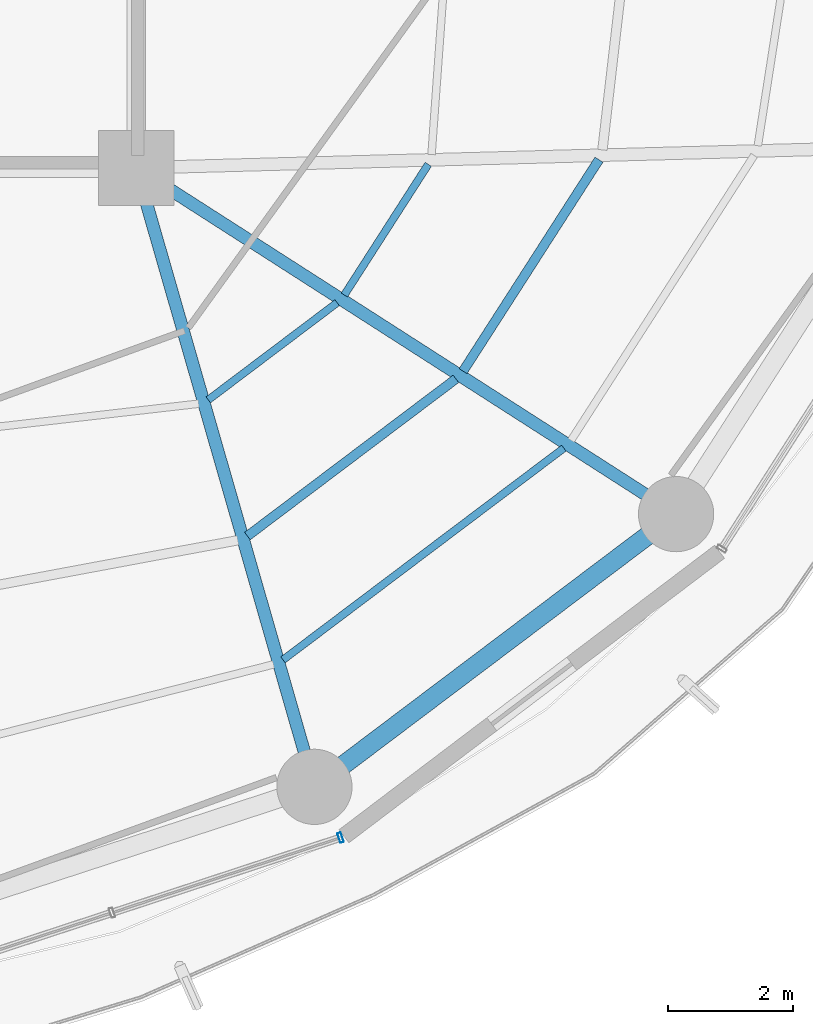
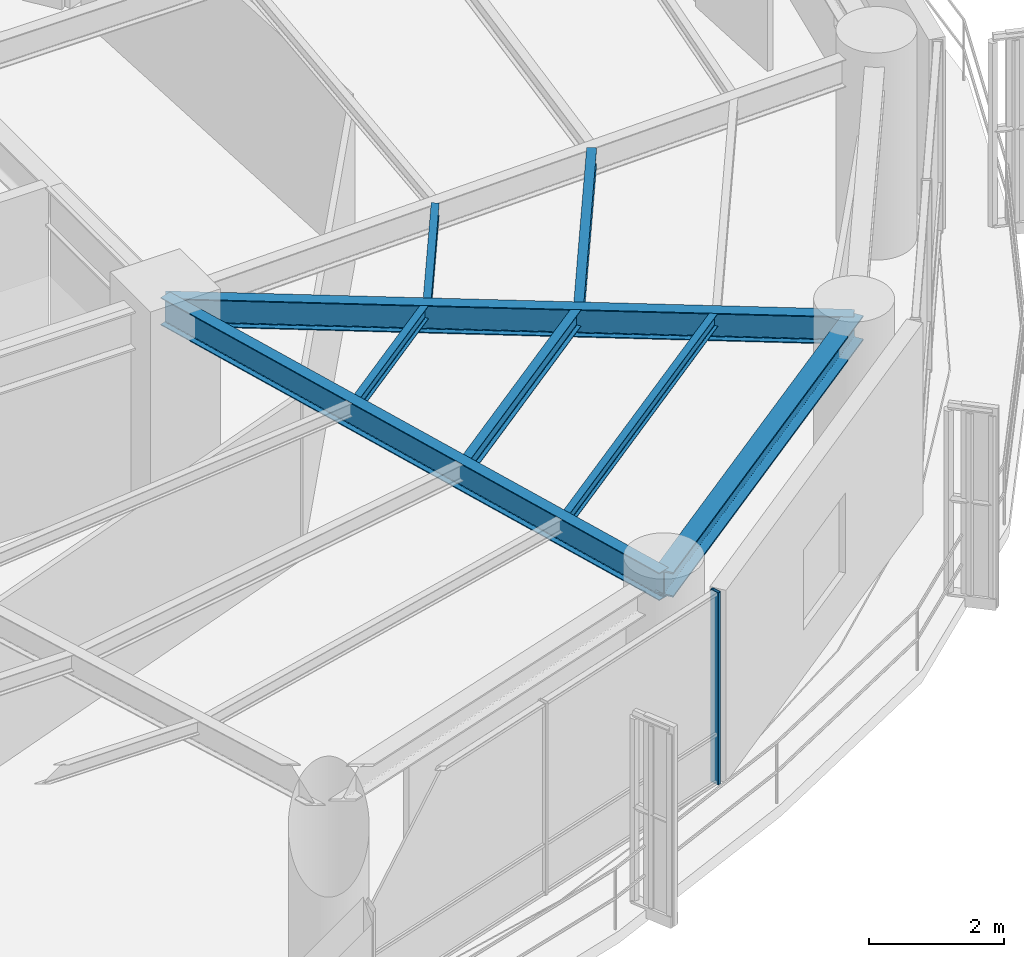
# One storey, part 10 of 28: 8 beams, 1 member, 1 element without a shape of its own.
"""IFC4 building model written with IfcOpenShell, lengths in metres."""

import ifcopenshell
import ifcopenshell.guid

model = None  # the IFC model being written
_history = None  # IfcOwnerHistory: only IFC2X3 demands one
_inside = {}  # id of a spatial element -> (the spatial element, [elements in it])
_under = {}  # id of a project, library or spatial element -> (it, [spatial elements below it])
_declared = {}  # id of a project -> (the project, [libraries it declares])
_typed = {}  # id of a type object -> (the type object, [elements of that type])
_made_of = {}  # id of a material, layer set ... -> (it, [elements and type objects made of it])


def new_model(schema):
    """Start an empty IFC model of exactly this schema.

    Asked for "IFC4X3", IfcOpenShell would pick the latest addendum, in which some entities
    have other attributes; the version numbers below select the first issue.
    IFC2X3 requires an IfcOwnerHistory on every rooted entity: one is made here for all.
    """
    global model, _history
    if schema == "IFC4X3":
        model = ifcopenshell.file(schema_version=(4, 3, 0, 0))
    else:
        model = ifcopenshell.file(schema=schema)
    _inside.clear()
    _under.clear()
    _declared.clear()
    _typed.clear()
    _made_of.clear()
    _history = None
    if model.schema == "IFC2X3":
        org = make("IfcOrganization", Name="unknown")
        user = make(
            "IfcPersonAndOrganization",
            ThePerson=make("IfcPerson", FamilyName="unknown"),
            TheOrganization=org,
        )
        app = make(
            "IfcApplication",
            ApplicationDeveloper=org,
            Version="unknown",
            ApplicationFullName="unknown",
            ApplicationIdentifier="unknown",
        )
        _history = make(
            "IfcOwnerHistory",
            OwningUser=user,
            OwningApplication=app,
            ChangeAction="ADDED",
            CreationDate=0,
        )
    return model


def make(cls, **values):
    """One entity of the class cls with the attributes given. An attribute that is None is left unset."""
    return model.create_entity(
        cls, **{name: value for name, value in values.items() if value is not None}
    )


def rooted(cls, **values):
    """An entity with a GlobalId (a new one), such as an element, a storey or a relation."""
    return make(cls, GlobalId=ifcopenshell.guid.new(), OwnerHistory=_history, **values)


def si_unit(unit_type, name, prefix=None):
    """IfcSIUnit, for example si_unit("LENGTHUNIT", "METRE", prefix="MILLI")."""
    return make("IfcSIUnit", UnitType=unit_type, Prefix=prefix, Name=name)


def assignment(units):
    """IfcUnitAssignment: the units of a project."""
    return None if units is None else make("IfcUnitAssignment", Units=units)


def point(xyz):
    """IfcCartesianPoint."""
    return None if xyz is None else make("IfcCartesianPoint", Coordinates=xyz)


def direction(xyz):
    """IfcDirection."""
    return None if xyz is None else make("IfcDirection", DirectionRatios=xyz)


def frame(location, z_axis=None, x_axis=None):
    """IfcAxis2Placement3D, a coordinate frame: its origin and axes. An axis left out is left unset."""
    return make(
        "IfcAxis2Placement3D",
        Location=point(location),
        Axis=direction(z_axis),
        RefDirection=direction(x_axis),
    )


def frame_2d(location, x_axis=None):
    """IfcAxis2Placement2D, a coordinate frame in the plane: its origin and x axis."""
    return make(
        "IfcAxis2Placement2D", Location=point(location), RefDirection=direction(x_axis)
    )


def origin():
    """The frame at (0, 0, 0) with its axes left unset."""
    return frame((0.0, 0.0, 0.0))


def origin_2d():
    """The frame at (0, 0) in the plane with its x axis left unset."""
    return frame_2d((0.0, 0.0))


def place(relative_to, where):
    """IfcLocalPlacement: puts the frame where relative to a parent placement (None: the world)."""
    return make(
        "IfcLocalPlacement", PlacementRelTo=relative_to, RelativePlacement=where
    )


def context(
    kind, dimensions, precision=None, world=None, true_north=None, identifier=None
):
    """IfcGeometricRepresentationContext, for example the 3D "Model" context."""
    return make(
        "IfcGeometricRepresentationContext",
        ContextIdentifier=identifier,
        ContextType=kind,
        CoordinateSpaceDimension=dimensions,
        Precision=precision,
        WorldCoordinateSystem=world,
        TrueNorth=true_north,
    )


def subcontext(parent, identifier, kind, view, scale=None):
    """IfcGeometricRepresentationSubContext, for example "Body" below "Model"."""
    return make(
        "IfcGeometricRepresentationSubContext",
        ContextIdentifier=identifier,
        ContextType=kind,
        ParentContext=parent,
        TargetScale=scale,
        TargetView=view,
    )


def project(units=None, contexts=None):
    """IfcProject with its units and contexts."""
    return rooted(
        "IfcProject",
        Name="project",
        RepresentationContexts=contexts,
        UnitsInContext=assignment(units),
    )


def spatial(cls, under=None, at=None, **own):
    """A site, building, storey or space (cls), placed at a placement, below another one or the project."""
    s = rooted(cls, ObjectPlacement=at, **own)
    if under is not None:
        _under.setdefault(under.id(), (under, []))[1].append(s)
    return s


def profile(cls, at=None, kind="AREA", **sizes):
    """A parametric profile (cls). Its sizes go by their IFC names, for example OverallWidth=200.0."""
    return make(cls, ProfileType=kind, Position=at, **sizes)


def hollow_rectangle(**sizes):
    """IfcRectangleHollowProfileDef."""
    return profile("IfcRectangleHollowProfileDef", **sizes)


def i_section(**sizes):
    """IfcIShapeProfileDef."""
    return profile("IfcIShapeProfileDef", **sizes)


def extrude(swept, where, along, depth):
    """IfcExtrudedAreaSolid: the profile swept, set in the frame where, extruded along a direction by depth."""
    return make(
        "IfcExtrudedAreaSolid",
        SweptArea=swept,
        Position=where,
        ExtrudedDirection=direction(along),
        Depth=depth,
    )


def shape(context_of_items, identifier, shape_type, items):
    """IfcShapeRepresentation: the items that make up one representation, for example the "Body"."""
    return make(
        "IfcShapeRepresentation",
        ContextOfItems=context_of_items,
        RepresentationIdentifier=identifier,
        RepresentationType=shape_type,
        Items=items,
    )


def material(Name=None, Category=None):
    """IfcMaterial."""
    return make("IfcMaterial", Name=Name, Category=Category)


def layer(
    of_material, thickness, ventilated=None, Name=None, Category=None, Priority=None
):
    """IfcMaterialLayer: one layer of a wall or slab, of a material (None: an air gap)."""
    return make(
        "IfcMaterialLayer",
        Material=of_material,
        LayerThickness=thickness,
        IsVentilated=ventilated,
        Name=Name,
        Category=Category,
        Priority=Priority,
    )


def layer_set(layers, Name=None):
    """IfcMaterialLayerSet."""
    return make("IfcMaterialLayerSet", MaterialLayers=layers, LayerSetName=Name)


def material_profile(
    of_material, cross_section, Name=None, Category=None, Priority=None
):
    """IfcMaterialProfile: a cross section and its material."""
    return make(
        "IfcMaterialProfile",
        Name=Name,
        Material=of_material,
        Profile=cross_section,
        Priority=Priority,
        Category=Category,
    )


def profile_set(profiles, Name=None, composite=None):
    """IfcMaterialProfileSet."""
    return make(
        "IfcMaterialProfileSet",
        Name=Name,
        MaterialProfiles=profiles,
        CompositeProfile=composite,
    )


def made_of(thing, what):
    """Note that an element or type object is made of a material, layer set ...; save() writes the relation."""
    if what is not None:
        _made_of.setdefault(what.id(), (what, []))[1].append(thing)
    return thing


def type_object(cls, material=None, **own):
    """A type object (cls), such as IfcWallType, which elements share."""
    return made_of(rooted(cls, **own), material)


def element(
    cls,
    number,
    at=None,
    inside=None,
    cuts=None,
    type_object=None,
    material=None,
    context=None,
    identifier="Body",
    shape_type=None,
    held_by="IfcProductDefinitionShape",
    body=None,
    shapes=None,
    **own,
):
    """One element of the class cls, such as IfcWall. Its Tag is "e" and its number.

    at: its placement. inside: the storey or other place that contains it. cuts: it is an
    opening in that element (IfcRelVoidsElement). A single representation is given by context,
    identifier, shape_type and body (its items); several are given by shapes. held_by: the class
    of the entity that holds the representations. save() writes the other relations.
    """
    e = rooted(cls, Tag="e%d" % number, ObjectPlacement=at, **own)
    if body is not None:
        shapes = [shape(context, identifier, shape_type, body)]
    if shapes is not None:
        e.Representation = make(held_by, Representations=shapes)
    if inside is not None:
        _inside.setdefault(inside.id(), (inside, []))[1].append(e)
    if cuts is not None:
        rooted(
            "IfcRelVoidsElement", RelatingBuildingElement=cuts, RelatedOpeningElement=e
        )
    if type_object is not None:
        _typed.setdefault(type_object.id(), (type_object, []))[1].append(e)
    return made_of(e, material)


def aggregate(whole, parts):
    """IfcRelAggregates: a whole, such as a stair, and the parts it consists of."""
    return rooted("IfcRelAggregates", RelatingObject=whole, RelatedObjects=parts)


def save(model, path):
    """Write the relations noted so far, then the file.

    IfcRelAggregates (storeys below a building ...), IfcRelContainedInSpatialStructure (elements
    in a storey), IfcRelDefinesByType, IfcRelAssociatesMaterial and IfcRelDeclares: one each for
    every whole, place, type object, material and project.
    """
    for whole, parts in _under.values():
        aggregate(whole, parts)
    for where, things in _inside.values():
        rooted(
            "IfcRelContainedInSpatialStructure",
            RelatedElements=things,
            RelatingStructure=where,
        )
    for kind, things in _typed.values():
        rooted("IfcRelDefinesByType", RelatedObjects=things, RelatingType=kind)
    for what, things in _made_of.values():
        rooted("IfcRelAssociatesMaterial", RelatedObjects=things, RelatingMaterial=what)
    for by, libraries in _declared.values():
        rooted("IfcRelDeclares", RelatingContext=by, RelatedDefinitions=libraries)
    model.write(path)


model = new_model("IFC4")

# Units and contexts
model_context = context("Model", 3, precision=1e-05, world=origin(), true_north=direction((0.0, 1.0)))
body_context = subcontext(model_context, "Body", "Model", "MODEL_VIEW")
ifc_project = project(units=[si_unit("LENGTHUNIT", "METRE"), si_unit("AREAUNIT", "SQUARE_METRE"), si_unit("VOLUMEUNIT", "CUBIC_METRE"), si_unit("PLANEANGLEUNIT", "RADIAN"), si_unit("MASSUNIT", "GRAM", prefix="KILO")], contexts=[model_context])

# Site, building, storey
site_placement = place(None, origin())
site = spatial("IfcSite", under=ifc_project, at=site_placement, CompositionType="ELEMENT")
building_placement = place(site_placement, origin())
building = spatial("IfcBuilding", under=site, at=building_placement, Name="Kelanora Arch Commons", CompositionType="ELEMENT")
storey_placement = place(building_placement, frame((0.0, 0.0, 176.85009765625)))
storey = spatial("IfcBuildingStorey", under=building, at=storey_placement, Name="L45", CompositionType="ELEMENT", Elevation=176.85009765625)

# Beams
ifc_material_1 = material(Name="Steel S355", Category="steel")
ifc_material_profile_1 = material_profile(ifc_material_1, i_section(OverallWidth=0.14990234375, OverallDepth=0.300048828125, WebThickness=0.007080078125, FlangeThickness=0.0107421875, FilletRadius=0.014892578125, at=origin_2d()), Name="IPE300")
ifc_profile_set_1 = profile_set([ifc_material_profile_1], Name="Steel S355")
beam_type_1 = type_object("IfcBeamType", Name="BM-JST-01", PredefinedType="JOIST", material=ifc_profile_set_1)
beam_1_placement = place(storey_placement, frame((83.77197265625, 45.129150390625, 3.33984375), z_axis=(0.798463547891, 0.602043156833, 0.0), x_axis=(-0.602043156833, 0.798463547891, 0.0)))
element("IfcBeam", 1, at=beam_1_placement, inside=storey, type_object=beam_type_1, Name="Secondary Chord Joist BJB-30 L45", PredefinedType="JOIST", context=body_context, shape_type="SweptSolid", body=[
    extrude(i_section(OverallWidth=0.14990234375, OverallDepth=0.300048828125, WebThickness=0.007080078125, FlangeThickness=0.0107421875, FilletRadius=0.014892578125, at=origin_2d()), origin(), (0.0, 0.0, 1.0), 4.163818359375),
])
beam_2_placement = place(storey_placement, frame((87.210693359375, 47.758544921875, 3.33984375), z_axis=(0.540594434398, 0.841283339606, 0.0), x_axis=(-0.841283339606, 0.540594434398, 0.0)))
element("IfcBeam", 2, at=beam_2_placement, inside=storey, type_object=beam_type_1, Name="Secondary Chord Joist BJB-32 L45", PredefinedType="JOIST", context=body_context, shape_type="SweptSolid", body=[
    extrude(i_section(OverallWidth=0.14990234375, OverallDepth=0.300048828125, WebThickness=0.007080078125, FlangeThickness=0.0107421875, FilletRadius=0.014892578125, at=origin_2d()), origin(), (0.0, 0.0, 1.0), 4.008544921875),
])
ifc_material_profile_2 = material_profile(ifc_material_1, i_section(OverallWidth=0.1201171875, OverallDepth=0.239990234375, WebThickness=0.006103515625, FlangeThickness=0.009765625, FilletRadius=0.014892578125, at=origin_2d()), Name="IPE240")
ifc_profile_set_2 = profile_set([ifc_material_profile_2], Name="Steel S355")
beam_type_2 = type_object("IfcBeamType", Name="BM-JST-02", PredefinedType="JOIST", material=ifc_profile_set_2)
beam_3_placement = place(storey_placement, frame((83.147216796875, 47.300537109375, 3.369873046875), z_axis=(0.798484118859, 0.602015873487, 0.0), x_axis=(-0.602015873487, 0.798484118859, 0.0)))
element("IfcBeam", 3, at=beam_3_placement, inside=storey, type_object=beam_type_2, Name="Secondary Chord Joist BJA-30 L45", PredefinedType="JOIST", context=body_context, shape_type="SweptSolid", body=[
    extrude(i_section(OverallWidth=0.1201171875, OverallDepth=0.239990234375, WebThickness=0.006103515625, FlangeThickness=0.009765625, FilletRadius=0.014892578125, at=origin_2d()), origin(), (0.0, 0.0, 1.0), 2.57470703125),
])
beam_4_placement = place(storey_placement, frame((84.33984375, 43.155029296875, 3.369873046875), z_axis=(0.798493128577, 0.602003923256, 0.0), x_axis=(-0.602003923256, 0.798493128577, 0.0)))
element("IfcBeam", 4, at=beam_4_placement, inside=storey, type_object=beam_type_2, Name="Secondary Chord Joist BJC-30 L45", PredefinedType="JOIST", context=body_context, shape_type="SweptSolid", body=[
    extrude(i_section(OverallWidth=0.1201171875, OverallDepth=0.239990234375, WebThickness=0.006103515625, FlangeThickness=0.009765625, FilletRadius=0.014892578125, at=origin_2d()), origin(), (0.0, 0.0, 1.0), 5.608642578125),
])
beam_5_placement = place(storey_placement, frame((85.31689453125, 48.973388671875, 3.369873046875), z_axis=(0.540583174025, 0.841290575224, 0.0), x_axis=(-0.841290575224, 0.540583174025, 0.0)))
element("IfcBeam", 5, at=beam_5_placement, inside=storey, type_object=beam_type_2, Name="Secondary Chord Joist BJA-32 L45", PredefinedType="JOIST", context=body_context, shape_type="SweptSolid", body=[
    extrude(i_section(OverallWidth=0.1201171875, OverallDepth=0.239990234375, WebThickness=0.006103515625, FlangeThickness=0.009765625, FilletRadius=0.014892578125, at=origin_2d()), origin(), (0.0, 0.0, 1.0), 2.476318359375),
])
ifc_material_profile_3 = material_profile(ifc_material_1, i_section(OverallWidth=0.199951171875, OverallDepth=0.5, WebThickness=0.01025390625, FlangeThickness=0.01611328125, FilletRadius=0.02099609375, at=origin_2d()), Name="IPE500")
ifc_profile_set_3 = profile_set([ifc_material_profile_3], Name="Steel S355")
beam_type_3 = type_object("IfcBeamType", Name="BM-RAD-Z3", PredefinedType="BEAM", material=ifc_profile_set_3)
beam_6_placement = place(storey_placement, frame((82.0, 51.0, 3.239990234375), z_axis=(0.276525880065, -0.961006471182, 0.0), x_axis=(0.961006471182, 0.276525880065, 0.0)))
element("IfcBeam", 6, at=beam_6_placement, inside=storey, type_object=beam_type_3, Name="Radial Floor Girder BR-30 L45", PredefinedType="BEAM", context=body_context, shape_type="SweptSolid", body=[
    extrude(i_section(OverallWidth=0.199951171875, OverallDepth=0.5, WebThickness=0.01025390625, FlangeThickness=0.01611328125, FilletRadius=0.02099609375, at=origin_2d()), origin(), (0.0, 0.0, 1.0), 10.2705078125),
])
beam_7_placement = place(storey_placement, frame((82.0, 51.0, 3.239990234375), z_axis=(0.841719465748, -0.539915123868, 0.0), x_axis=(0.539915123868, 0.841719465748, 0.0)))
element("IfcBeam", 7, at=beam_7_placement, inside=storey, type_object=beam_type_3, Name="Radial Floor Girder BR-32 L45", PredefinedType="BEAM", context=body_context, shape_type="SweptSolid", body=[
    extrude(i_section(OverallWidth=0.199951171875, OverallDepth=0.5, WebThickness=0.01025390625, FlangeThickness=0.01611328125, FilletRadius=0.02099609375, at=origin_2d()), origin(), (0.0, 0.0, 1.0), 10.2265625),
])
ifc_material_profile_4 = material_profile(ifc_material_1, i_section(OverallWidth=0.300048828125, OverallDepth=0.449951171875, WebThickness=0.013916015625, FlangeThickness=0.02587890625, FilletRadius=0.027099609375, at=origin_2d()), Name="HEB450")
ifc_profile_set_4 = profile_set([ifc_material_profile_4], Name="Steel S355")
beam_type_4 = type_object("IfcBeamType", Name="BM-SPN-Z3", PredefinedType="SPANDREL", material=ifc_profile_set_4)
beam_8_placement = place(storey_placement, frame((84.840087890625, 41.1298828125, 3.264892578125), z_axis=(0.798484645564, 0.60201517489, 0.0), x_axis=(-0.60201517489, 0.798484645564, 0.0)))
element("IfcBeam", 8, at=beam_8_placement, inside=storey, type_object=beam_type_4, Name="Perimeter Spandrel Beam BS-30 L45", PredefinedType="SPANDREL", context=body_context, shape_type="SweptSolid", body=[
    extrude(i_section(OverallWidth=0.300048828125, OverallDepth=0.449951171875, WebThickness=0.013916015625, FlangeThickness=0.02587890625, FilletRadius=0.027099609375, at=origin_2d()), origin(), (0.0, 0.0, 1.0), 7.223388671875),
])

# Curtain wall, member
ifc_material_2 = material(Name="Terracotta ceramic-fritted low-E glass and aluminium", Category="masonry")
ifc_layer = layer(ifc_material_2, 0.175048828125)
ifc_layer_set = layer_set([ifc_layer], Name="Terracotta ceramic-fritted low-E glass and aluminium")
curtain_wall_type = type_object("IfcCurtainWallType", Name="CW-SYS-02", PredefinedType="NOTDEFINED", material=ifc_layer_set)
curtain_wall_placement = place(storey_placement, origin())
curtain_wall = element("IfcCurtainWall", 9, at=curtain_wall_placement, inside=storey, type_object=curtain_wall_type, Name="Unitised Curtain Wall L45-B14", PredefinedType="NOTDEFINED")
ifc_material_3 = material(Name="Powder-coated aluminium terracotta", Category="masonry")
ifc_material_profile_5 = material_profile(ifc_material_3, hollow_rectangle(XDim=0.159912109375, YDim=0.06005859375, WallThickness=0.0048828125, InnerFilletRadius=0.0048828125, OuterFilletRadius=0.010009765625, at=origin_2d()), Name="CWM160x60")
ifc_profile_set_5 = profile_set([ifc_material_profile_5], Name="Powder-coated aluminium terracotta")
member_type = type_object("IfcMemberType", Name="CWM-STD", PredefinedType="MULLION", material=ifc_profile_set_5)
member_placement = place(storey_placement, frame((85.257080078125, 40.319091796875, 0.0), z_axis=(0.0, 0.0, 1.0), x_axis=(-0.312128279571, 0.95003996605, 0.0)))
member = element("IfcMember", 10, at=member_placement, type_object=member_type, Name="CW-02 mullion 3", PredefinedType="MULLION", context=body_context, shape_type="SweptSolid", body=[
    extrude(hollow_rectangle(XDim=0.159912109375, YDim=0.06005859375, WallThickness=0.0048828125, InnerFilletRadius=0.0048828125, OuterFilletRadius=0.010009765625, at=origin_2d()), origin(), (0.0, 0.0, 1.0), 3.474853515625),
])
aggregate(curtain_wall, [member])

save(model, "model.ifc")
